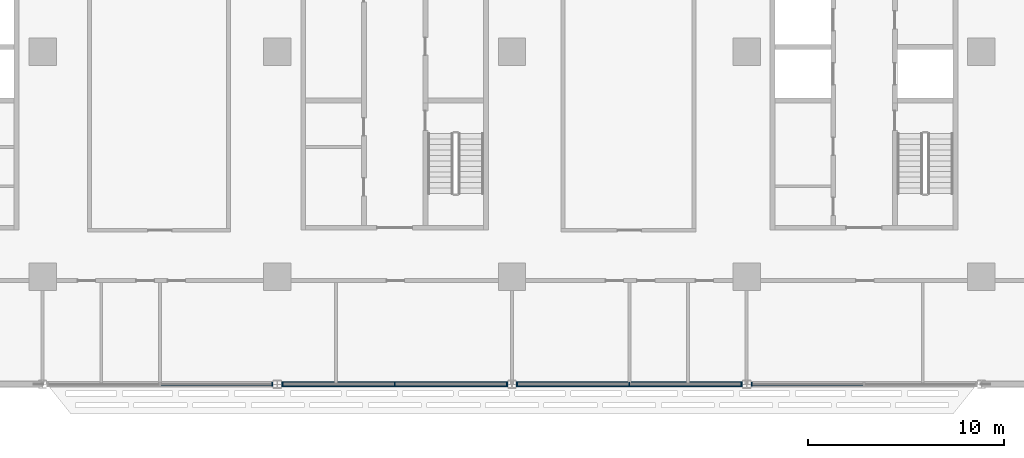
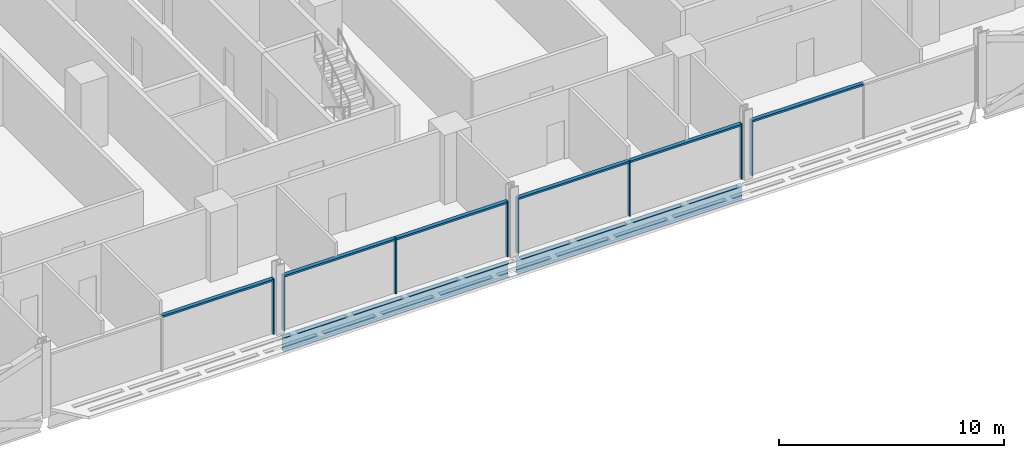
# One storey, part 5 of 29: 14 members, 2 beams, 4 elements without a shape of their own.
"""IFC4 building model written with IfcOpenShell, lengths in metres."""

from ifc_helpers import new_model, si_unit, direction, frame, origin, origin_2d, place, context, subcontext, project, spatial, rectangle, i_section, extrude, material, material_profile, profile_set, type_object, element, aggregate, save


model = new_model("IFC4")

# Units and contexts
model_context = context("Model", 3, precision=1e-05, world=origin(), true_north=direction((0.0, 1.0)))
body_context = subcontext(model_context, "Body", "Model", "MODEL_VIEW")
ifc_project = project(units=[si_unit("LENGTHUNIT", "METRE"), si_unit("AREAUNIT", "SQUARE_METRE"), si_unit("VOLUMEUNIT", "CUBIC_METRE"), si_unit("PLANEANGLEUNIT", "RADIAN"), si_unit("MASSUNIT", "GRAM", prefix="KILO")], contexts=[model_context])

# Site, building, storey
site_placement = place(None, origin())
site = spatial("IfcSite", under=ifc_project, at=site_placement, CompositionType="ELEMENT")
building_placement = place(site_placement, origin())
building = spatial("IfcBuilding", under=site, at=building_placement, Name="Mahtab Terrace Research Tower", CompositionType="ELEMENT")
storey_placement = place(building_placement, frame((0.0, 0.0, 109.39990234375)))
storey = spatial("IfcBuildingStorey", under=building, at=storey_placement, Name="L25", CompositionType="ELEMENT", Elevation=109.39990234375)

# Curtain wall, member
ifc_material_1 = material(Name="Laboratory ribbon curtain wall")
curtain_wall_type = type_object("IfcCurtainWallType", Name="Laboratory ribbon curtain wall", PredefinedType="NOTDEFINED", material=ifc_material_1)
curtain_wall_1_placement = place(storey_placement, origin())
curtain_wall_1 = element("IfcCurtainWall", 1, at=curtain_wall_1_placement, inside=storey, type_object=curtain_wall_type, Name="EN.L25.13.25", PredefinedType="NOTDEFINED")
ifc_material_2 = material(Name="Natural anodised aluminium", Category="aluminium")
ifc_material_profile_1 = material_profile(ifc_material_2, rectangle(XDim=0.199951171875, YDim=0.06494140625, at=origin_2d()), Name="MULLION 65x200")
ifc_profile_set_1 = profile_set([ifc_material_profile_1], Name="Natural anodised aluminium")
member_type_1 = type_object("IfcMemberType", Name="Laboratory ribbon curtain wall mullion", PredefinedType="MULLION", material=ifc_profile_set_1)
member_1_placement = place(storey_placement, frame((-6.260498046875, -17.0, 0.0), z_axis=(0.0, 0.0, 1.0), x_axis=(0.0, 1.0, 0.0)))
member_1 = element("IfcMember", 2, at=member_1_placement, type_object=member_type_1, Name="CWL-3 mullion 3", PredefinedType="MULLION", context=body_context, shape_type="SweptSolid", body=[
    extrude(rectangle(XDim=0.199951171875, YDim=0.06494140625, at=origin_2d()), origin(), (0.0, 0.0, 1.0), 3.003173828125),
])

# Curtain wall, members
curtain_wall_2_placement = place(storey_placement, origin())
curtain_wall_2 = element("IfcCurtainWall", 3, at=curtain_wall_2_placement, inside=storey, type_object=curtain_wall_type, Name="EN.L25.13.26", PredefinedType="NOTDEFINED")
member_2_placement = place(storey_placement, frame((-5.739501953125, -17.0, 0.0), z_axis=(0.0, 0.0, 1.0), x_axis=(0.0, 1.0, 0.0)))
member_2 = element("IfcMember", 4, at=member_2_placement, type_object=member_type_1, Name="CWL-3 mullion 1", PredefinedType="MULLION", context=body_context, shape_type="SweptSolid", body=[
    extrude(rectangle(XDim=0.199951171875, YDim=0.06494140625, at=origin_2d()), origin(), (0.0, 0.0, 1.0), 3.003173828125),
])
member_3_placement = place(storey_placement, frame((0.0, -17.0, 0.0), z_axis=(0.0, 0.0, 1.0), x_axis=(0.0, 1.0, 0.0)))
member_3 = element("IfcMember", 5, at=member_3_placement, type_object=member_type_1, Name="CWL-3 mullion 2", PredefinedType="MULLION", context=body_context, shape_type="SweptSolid", body=[
    extrude(rectangle(XDim=0.199951171875, YDim=0.06494140625, at=origin_2d()), origin(), (0.0, 0.0, 1.0), 3.003173828125),
])
member_4_placement = place(storey_placement, frame((5.739501953125, -17.0, 0.0), z_axis=(0.0, 0.0, 1.0), x_axis=(0.0, 1.0, 0.0)))
member_4 = element("IfcMember", 6, at=member_4_placement, type_object=member_type_1, Name="CWL-3 mullion 3", PredefinedType="MULLION", context=body_context, shape_type="SweptSolid", body=[
    extrude(rectangle(XDim=0.199951171875, YDim=0.06494140625, at=origin_2d()), origin(), (0.0, 0.0, 1.0), 3.003173828125),
])

curtain_wall_3_placement = place(storey_placement, origin())
curtain_wall_3 = element("IfcCurtainWall", 7, at=curtain_wall_3_placement, inside=storey, type_object=curtain_wall_type, Name="EN.L25.13.27", PredefinedType="NOTDEFINED")
member_5_placement = place(storey_placement, frame((6.260498046875, -17.0, 0.0), z_axis=(0.0, 0.0, 1.0), x_axis=(0.0, 1.0, 0.0)))
member_5 = element("IfcMember", 8, at=member_5_placement, type_object=member_type_1, Name="CWL-3 mullion 1", PredefinedType="MULLION", context=body_context, shape_type="SweptSolid", body=[
    extrude(rectangle(XDim=0.199951171875, YDim=0.06494140625, at=origin_2d()), origin(), (0.0, 0.0, 1.0), 3.003173828125),
])
member_6_placement = place(storey_placement, frame((12.0, -17.0, 0.0), z_axis=(0.0, 0.0, 1.0), x_axis=(0.0, 1.0, 0.0)))
member_6 = element("IfcMember", 9, at=member_6_placement, type_object=member_type_1, Name="CWL-3 mullion 2", PredefinedType="MULLION", context=body_context, shape_type="SweptSolid", body=[
    extrude(rectangle(XDim=0.199951171875, YDim=0.06494140625, at=origin_2d()), origin(), (0.0, 0.0, 1.0), 3.003173828125),
])
member_7_placement = place(storey_placement, frame((17.739501953125, -17.0, 0.0), z_axis=(0.0, 0.0, 1.0), x_axis=(0.0, 1.0, 0.0)))
member_7 = element("IfcMember", 10, at=member_7_placement, type_object=member_type_1, Name="CWL-3 mullion 3", PredefinedType="MULLION", context=body_context, shape_type="SweptSolid", body=[
    extrude(rectangle(XDim=0.199951171875, YDim=0.06494140625, at=origin_2d()), origin(), (0.0, 0.0, 1.0), 3.003173828125),
])

# Curtain wall, member
curtain_wall_4_placement = place(storey_placement, origin())
curtain_wall_4 = element("IfcCurtainWall", 11, at=curtain_wall_4_placement, inside=storey, type_object=curtain_wall_type, Name="EN.L25.13.28", PredefinedType="NOTDEFINED")
member_8_placement = place(storey_placement, frame((18.260498046875, -17.0, 0.0), z_axis=(0.0, 0.0, 1.0), x_axis=(0.0, 1.0, 0.0)))
member_8 = element("IfcMember", 12, at=member_8_placement, type_object=member_type_1, Name="CWL-3 mullion 1", PredefinedType="MULLION", context=body_context, shape_type="SweptSolid", body=[
    extrude(rectangle(XDim=0.199951171875, YDim=0.06494140625, at=origin_2d()), origin(), (0.0, 0.0, 1.0), 3.003173828125),
])

# Member
ifc_material_profile_2 = material_profile(ifc_material_2, rectangle(XDim=0.199951171875, YDim=0.10009765625, at=origin_2d()), Name="TRANSOM 100x200")
ifc_profile_set_2 = profile_set([ifc_material_profile_2], Name="Natural anodised aluminium")
member_type_2 = type_object("IfcMemberType", Name="Laboratory ribbon curtain wall transom", PredefinedType="USERDEFINED", material=ifc_profile_set_2)
member_9_placement = place(storey_placement, frame((-11.967529296875, -17.0, 2.953125), z_axis=(1.0, 0.0, 0.0), x_axis=(0.0, 1.0, 0.0)))
member_9 = element("IfcMember", 13, at=member_9_placement, type_object=member_type_2, Name="CWL-3 transom 2", ObjectType="TRANSOM", PredefinedType="USERDEFINED", context=body_context, shape_type="SweptSolid", body=[
    extrude(rectangle(XDim=0.199951171875, YDim=0.10009765625, at=origin_2d()), origin(), (0.0, 0.0, 1.0), 5.674560546875),
])

aggregate(curtain_wall_1, [member_1, member_9])

member_10_placement = place(storey_placement, frame((-5.70703125, -17.0, 2.953125), z_axis=(1.0, 0.0, 0.0), x_axis=(0.0, 1.0, 0.0)))
member_10 = element("IfcMember", 14, at=member_10_placement, type_object=member_type_2, Name="CWL-3 transom 1", ObjectType="TRANSOM", PredefinedType="USERDEFINED", context=body_context, shape_type="SweptSolid", body=[
    extrude(rectangle(XDim=0.199951171875, YDim=0.10009765625, at=origin_2d()), origin(), (0.0, 0.0, 1.0), 5.674560546875),
])

member_11_placement = place(storey_placement, frame((0.032470703125, -17.0, 2.953125), z_axis=(1.0, 0.0, 0.0), x_axis=(0.0, 1.0, 0.0)))
member_11 = element("IfcMember", 15, at=member_11_placement, type_object=member_type_2, Name="CWL-3 transom 2", ObjectType="TRANSOM", PredefinedType="USERDEFINED", context=body_context, shape_type="SweptSolid", body=[
    extrude(rectangle(XDim=0.199951171875, YDim=0.10009765625, at=origin_2d()), origin(), (0.0, 0.0, 1.0), 5.674560546875),
])

aggregate(curtain_wall_2, [member_2, member_3, member_4, member_10, member_11])

member_12_placement = place(storey_placement, frame((6.29296875, -17.0, 2.953125), z_axis=(1.0, 0.0, 0.0), x_axis=(0.0, 1.0, 0.0)))
member_12 = element("IfcMember", 16, at=member_12_placement, type_object=member_type_2, Name="CWL-3 transom 1", ObjectType="TRANSOM", PredefinedType="USERDEFINED", context=body_context, shape_type="SweptSolid", body=[
    extrude(rectangle(XDim=0.199951171875, YDim=0.10009765625, at=origin_2d()), origin(), (0.0, 0.0, 1.0), 5.674560546875),
])

member_13_placement = place(storey_placement, frame((12.032470703125, -17.0, 2.953125), z_axis=(1.0, 0.0, 0.0), x_axis=(0.0, 1.0, 0.0)))
member_13 = element("IfcMember", 17, at=member_13_placement, type_object=member_type_2, Name="CWL-3 transom 2", ObjectType="TRANSOM", PredefinedType="USERDEFINED", context=body_context, shape_type="SweptSolid", body=[
    extrude(rectangle(XDim=0.199951171875, YDim=0.10009765625, at=origin_2d()), origin(), (0.0, 0.0, 1.0), 5.674560546875),
])

aggregate(curtain_wall_3, [member_5, member_6, member_7, member_12, member_13])

member_14_placement = place(storey_placement, frame((18.29296875, -17.0, 2.953125), z_axis=(1.0, 0.0, 0.0), x_axis=(0.0, 1.0, 0.0)))
member_14 = element("IfcMember", 18, at=member_14_placement, type_object=member_type_2, Name="CWL-3 transom 1", ObjectType="TRANSOM", PredefinedType="USERDEFINED", context=body_context, shape_type="SweptSolid", body=[
    extrude(rectangle(XDim=0.199951171875, YDim=0.10009765625, at=origin_2d()), origin(), (0.0, 0.0, 1.0), 5.674560546875),
])

aggregate(curtain_wall_4, [member_8, member_14])

# Beams
ifc_material_3 = material(Name="Steel ASTM A992 Gr 50", Category="steel")
ifc_material_profile_3 = material_profile(ifc_material_3, i_section(OverallWidth=0.2666015625, OverallDepth=0.7568359375, WebThickness=0.013916015625, FlangeThickness=0.019287109375, at=origin_2d()), Name="W30X108")
ifc_profile_set_3 = profile_set([ifc_material_profile_3], Name="Steel ASTM A992 Gr 50")
beam_type = type_object("IfcBeamType", Name="W30x108 beam BS30108", PredefinedType="BEAM", material=ifc_profile_set_3)
for number, where, z_axis, x_axis, name in (
    (19, (-5.79052734375, -17.0, -0.71826171875), (1.0, 0.0, 0.0), (0.0, 1.0, 0.0), "Spandrel beam L25 15"),
    (20, (6.20947265625, -17.0, -0.71826171875), (1.0, 0.0, 0.0), (0.0, 1.0, 0.0), "Spandrel beam L25 16"),
):
    element("IfcBeam", number, at=place(storey_placement, frame(where, z_axis=z_axis, x_axis=x_axis)), inside=storey, type_object=beam_type, Name=name, PredefinedType="BEAM", context=body_context, shape_type="SweptSolid", body=[
        extrude(i_section(OverallWidth=0.2666015625, OverallDepth=0.7568359375, WebThickness=0.013916015625, FlangeThickness=0.019287109375, at=origin_2d()), origin(), (0.0, 0.0, 1.0), 11.5810546875),
    ])

save(model, "model.ifc")
